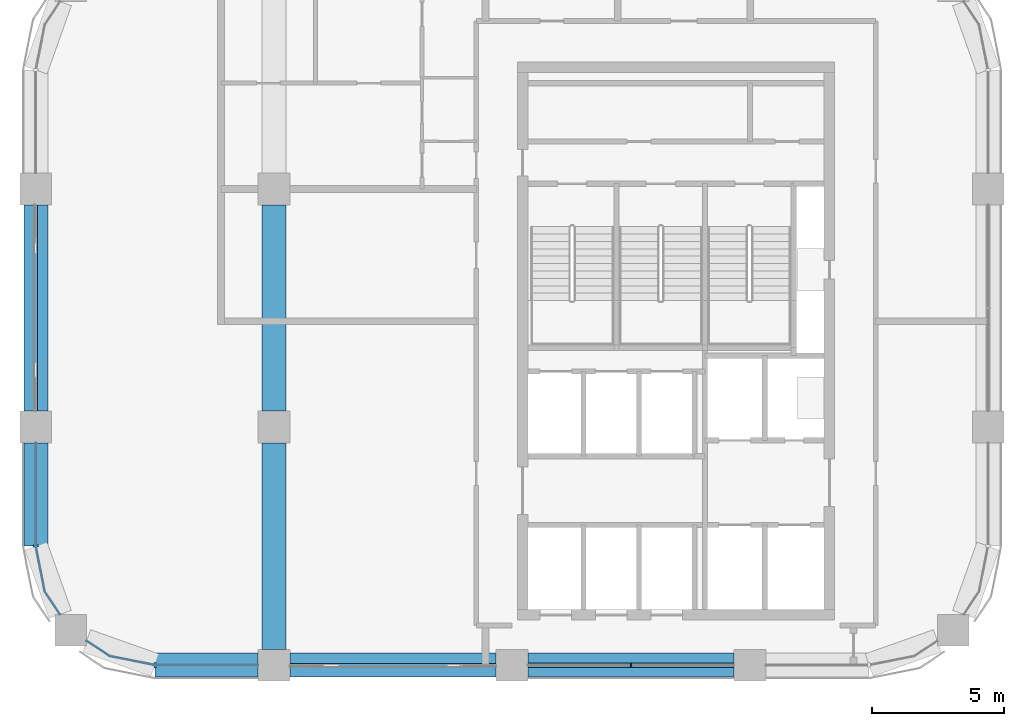
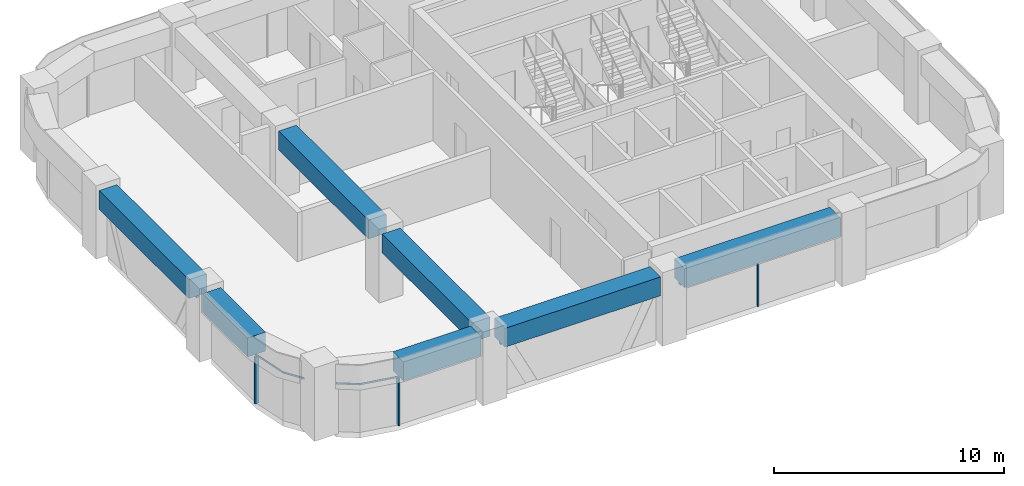
# One storey, part 2 of 10: 8 members, 7 beams, 5 elements without a shape of their own.
"""IFC4 building model written with IfcOpenShell, lengths in metres."""

from ifc_helpers import new_model, si_unit, direction, frame, origin, origin_2d, place, context, subcontext, project, spatial, polyline, rectangle, outline, extrude, material, material_profile, profile_set, type_object, element, aggregate, save


model = new_model("IFC4")

# Units and contexts
model_context = context("Model", 3, precision=1e-05, world=origin(), true_north=direction((0.0, 1.0)))
body_context = subcontext(model_context, "Body", "Model", "MODEL_VIEW")
ifc_project = project(units=[si_unit("LENGTHUNIT", "METRE"), si_unit("AREAUNIT", "SQUARE_METRE"), si_unit("VOLUMEUNIT", "CUBIC_METRE"), si_unit("PLANEANGLEUNIT", "RADIAN"), si_unit("MASSUNIT", "GRAM", prefix="KILO")], contexts=[model_context])

# Site, building, storey
site_placement = place(None, origin())
site = spatial("IfcSite", under=ifc_project, at=site_placement, CompositionType="ELEMENT")
building_placement = place(site_placement, origin())
building = spatial("IfcBuilding", under=site, at=building_placement, Name="Tessera Arch", CompositionType="ELEMENT")
storey_placement = place(building_placement, frame((0.0, 0.0, 261.800048828125)))
storey = spatial("IfcBuildingStorey", under=building, at=storey_placement, Name="L63", CompositionType="ELEMENT", Elevation=261.800048828125)

# Curtain wall, members
ifc_material_1 = material(Name="CW1 curtain wall")
curtain_wall_type_1 = type_object("IfcCurtainWallType", Name="CW1 curtain wall", PredefinedType="NOTDEFINED", material=ifc_material_1)
curtain_wall_1_placement = place(storey_placement, origin())
curtain_wall_1 = element("IfcCurtainWall", 1, at=curtain_wall_1_placement, inside=storey, type_object=curtain_wall_type_1, Name="CW1 curtain wall S27.18/2 L63", PredefinedType="NOTDEFINED")
ifc_material_2 = material(Name="Anodised aluminium pale metal", Category="aluminium")
ifc_material_profile_1 = material_profile(ifc_material_2, rectangle(XDim=0.159912109375, YDim=0.06005859375, at=origin_2d()), Name="AL 60x160")
ifc_profile_set_1 = profile_set([ifc_material_profile_1], Name="Anodised aluminium pale metal")
member_type_1 = type_object("IfcMemberType", Name="CW1 mullion", PredefinedType="MULLION", material=ifc_profile_set_1)
member_1_placement = place(storey_placement, frame((40.5, 27.0, 0.0), z_axis=(0.0, 0.0, 1.0), x_axis=(0.0, 1.0, 0.0)))
member_1 = element("IfcMember", 2, at=member_1_placement, type_object=member_type_1, Name="CW1 mullion S27.18/2 1", PredefinedType="MULLION", context=body_context, shape_type="SweptSolid", body=[
    extrude(rectangle(XDim=0.159912109375, YDim=0.06005859375, at=origin_2d()), origin(), (0.0, 0.0, 1.0), 2.5),
])
ifc_material_3 = material(Name="Anodised aluminium pale metal", Category="aluminium")
ifc_material_profile_2 = material_profile(ifc_material_3, rectangle(XDim=0.159912109375, YDim=0.10009765625, at=origin_2d()), Name="AL 160x100")
ifc_profile_set_2 = profile_set([ifc_material_profile_2], Name="Anodised aluminium pale metal")
member_type_2 = type_object("IfcMemberType", Name="CW1 transom", PredefinedType="USERDEFINED", material=ifc_profile_set_2)
member_2_placement = place(storey_placement, frame((36.60009765625, 27.0, 2.550048828125), z_axis=(1.0, 0.0, 0.0), x_axis=(0.0, 1.0, 0.0)))
member_2 = element("IfcMember", 3, at=member_2_placement, type_object=member_type_2, Name="CW1 transom S27.18/2 1.1", ObjectType="TRANSOM", PredefinedType="USERDEFINED", context=body_context, shape_type="SweptSolid", body=[
    extrude(rectangle(XDim=0.159912109375, YDim=0.10009765625, at=origin_2d()), origin(), (0.0, 0.0, 1.0), 7.7998046875),
])
aggregate(curtain_wall_1, [member_1, member_2])

# Curtain wall, member
ifc_material_4 = material(Name="CW2 curtain wall")
curtain_wall_type_2 = type_object("IfcCurtainWallType", Name="CW2 curtain wall", PredefinedType="NOTDEFINED", material=ifc_material_4)
curtain_wall_2_placement = place(storey_placement, origin())
curtain_wall_2 = element("IfcCurtainWall", 4, at=curtain_wall_2_placement, inside=storey, type_object=curtain_wall_type_2, Name="CW2 curtain wall W18.27/2 L63", PredefinedType="NOTDEFINED")
ifc_material_5 = material(Name="Anodised aluminium pale metal", Category="aluminium")
ifc_material_profile_3 = material_profile(ifc_material_5, rectangle(XDim=0.199951171875, YDim=0.080078125, at=origin_2d()), Name="AL 80x200")
ifc_profile_set_3 = profile_set([ifc_material_profile_3], Name="Anodised aluminium pale metal")
member_type_3 = type_object("IfcMemberType", Name="CW2 mullion", PredefinedType="MULLION", material=ifc_profile_set_3)
member_3_placement = place(storey_placement, frame((18.0, 31.5, 0.0), z_axis=(0.0, 0.0, 1.0), x_axis=(1.0, 0.0, 0.0)))
member_3 = element("IfcMember", 5, at=member_3_placement, type_object=member_type_3, Name="CW2 mullion W18.27/2 1", PredefinedType="MULLION", context=body_context, shape_type="SweptSolid", body=[
    extrude(rectangle(XDim=0.199951171875, YDim=0.080078125, at=origin_2d()), origin(), (0.0, 0.0, 1.0), 2.5),
])

curtain_wall_3_placement = place(storey_placement, origin())
curtain_wall_3 = element("IfcCurtainWall", 6, at=curtain_wall_3_placement, inside=storey, type_object=curtain_wall_type_2, Name="CW2 curtain wall S27.18/0 L63", PredefinedType="NOTDEFINED")
member_4_placement = place(storey_placement, frame((22.5, 27.0, 0.0), z_axis=(0.0, 0.0, 1.0), x_axis=(0.0, 1.0, 0.0)))
member_4 = element("IfcMember", 7, at=member_4_placement, type_object=member_type_3, Name="CW2 mullion S27.18/0 1", PredefinedType="MULLION", context=body_context, shape_type="SweptSolid", body=[
    extrude(rectangle(XDim=0.199951171875, YDim=0.080078125, at=origin_2d()), origin(), (0.0, 0.0, 1.0), 2.5),
])

# Member
ifc_material_6 = material(Name="Anodised aluminium pale metal", Category="aluminium")
ifc_material_profile_4 = material_profile(ifc_material_6, rectangle(XDim=0.199951171875, YDim=0.10009765625, at=origin_2d()), Name="AL 200x100")
ifc_profile_set_4 = profile_set([ifc_material_profile_4], Name="Anodised aluminium pale metal")
member_type_4 = type_object("IfcMemberType", Name="CW2 transom", PredefinedType="USERDEFINED", material=ifc_profile_set_4)
member_5_placement = place(storey_placement, frame((0.0, 0.0, 2.5)))
member_5 = element("IfcMember", 8, at=member_5_placement, type_object=member_type_4, Name="CW2 transom W18.27/2 1", ObjectType="TRANSOM", PredefinedType="USERDEFINED", context=body_context, shape_type="SweptSolid", body=[
    extrude(outline(polyline([(18.010009765625, 31.5009765625), (18.010009765625, 35.39990234375), (17.989990234375, 35.39990234375), (17.989990234375, 31.4990234375), (18.3330078125, 29.77392578125), (18.90869140625, 28.912353515625), (18.92529296875, 28.923583984375), (18.351806640625, 29.78173828125), (18.010009765625, 31.5009765625)])), origin(), (0.0, 0.0, 1.0), 0.099853515625),
])

aggregate(curtain_wall_2, [member_3, member_5])

member_6_placement = place(storey_placement, frame((0.0, 0.0, 2.5)))
member_6 = element("IfcMember", 9, at=member_6_placement, type_object=member_type_4, Name="CW2 transom S27.18/0 1", ObjectType="TRANSOM", PredefinedType="USERDEFINED", context=body_context, shape_type="SweptSolid", body=[
    extrude(outline(polyline([(20.78173828125, 27.351806640625), (19.923583984375, 27.92529296875), (19.912353515625, 27.90869140625), (20.77392578125, 27.3330078125), (22.4990234375, 26.989990234375), (26.39990234375, 26.989990234375), (26.39990234375, 27.010009765625), (22.5009765625, 27.010009765625), (20.78173828125, 27.351806640625)])), origin(), (0.0, 0.0, 1.0), 0.099853515625),
])

aggregate(curtain_wall_3, [member_4, member_6])

# Curtain wall, member
ifc_material_7 = material(Name="CW3 curtain wall")
curtain_wall_type_3 = type_object("IfcCurtainWallType", Name="CW3 curtain wall", PredefinedType="NOTDEFINED", material=ifc_material_7)
curtain_wall_4_placement = place(storey_placement, origin())
curtain_wall_4 = element("IfcCurtainWall", 10, at=curtain_wall_4_placement, inside=storey, type_object=curtain_wall_type_3, Name="CW3 curtain wall W18.27/1 L63", PredefinedType="NOTDEFINED")
ifc_material_8 = material(Name="Anodised aluminium pale metal", Category="aluminium")
ifc_material_profile_5 = material_profile(ifc_material_8, rectangle(XDim=0.139892578125, YDim=0.10009765625, at=origin_2d()), Name="AL 140x100")
ifc_profile_set_5 = profile_set([ifc_material_profile_5], Name="Anodised aluminium pale metal")
member_type_5 = type_object("IfcMemberType", Name="CW3 transom", PredefinedType="USERDEFINED", material=ifc_profile_set_5)
member_7_placement = place(storey_placement, frame((18.0, 44.39990234375, 2.550048828125), z_axis=(0.0, -1.0, 0.0), x_axis=(1.0, 0.0, 0.0)))
member_7 = element("IfcMember", 11, at=member_7_placement, type_object=member_type_5, Name="CW3 transom W18.27/1 1.1", ObjectType="TRANSOM", PredefinedType="USERDEFINED", context=body_context, shape_type="SweptSolid", body=[
    extrude(rectangle(XDim=0.139892578125, YDim=0.10009765625, at=origin_2d()), origin(), (0.0, 0.0, 1.0), 7.7998046875),
])
aggregate(curtain_wall_4, [member_7])

curtain_wall_5_placement = place(storey_placement, origin())
curtain_wall_5 = element("IfcCurtainWall", 12, at=curtain_wall_5_placement, inside=storey, type_object=curtain_wall_type_3, Name="CW3 curtain wall S27.18/1 L63", PredefinedType="NOTDEFINED")
member_8_placement = place(storey_placement, frame((27.60009765625, 27.0, 2.550048828125), z_axis=(1.0, 0.0, 0.0), x_axis=(0.0, 1.0, 0.0)))
member_8 = element("IfcMember", 13, at=member_8_placement, type_object=member_type_5, Name="CW3 transom S27.18/1 1.1", ObjectType="TRANSOM", PredefinedType="USERDEFINED", context=body_context, shape_type="SweptSolid", body=[
    extrude(rectangle(XDim=0.139892578125, YDim=0.10009765625, at=origin_2d()), origin(), (0.0, 0.0, 1.0), 7.7998046875),
])
aggregate(curtain_wall_5, [member_8])

# Beams
ifc_material_9 = material(Name="Concrete C60/75", Category="concrete")
ifc_material_profile_6 = material_profile(ifc_material_9, rectangle(XDim=0.89990234375, YDim=1.0, at=origin_2d()), Name="RC spandrel beam 900 x 1000 Concrete C60/75")
ifc_profile_set_6 = profile_set([ifc_material_profile_6], Name="Concrete C60/75")
beam_type = type_object("IfcBeamType", Name="RC spandrel beam 900 x 1000 Concrete C60/75", PredefinedType="BEAM", material=ifc_profile_set_6)
beam_placement = place(storey_placement, frame((18.0, 44.39990234375, 3.099853515625), z_axis=(0.0, -1.0, 0.0), x_axis=(1.0, 0.0, 0.0)))
element("IfcBeam", 14, at=beam_placement, inside=storey, type_object=beam_type, Name="Spandrel beam L63 W18.27/1", PredefinedType="BEAM", context=body_context, shape_type="SweptSolid", body=[
    extrude(rectangle(XDim=0.89990234375, YDim=1.0, at=origin_2d()), origin(), (0.0, 0.0, 1.0), 7.7998046875),
])
for number, where, z_axis, x_axis, name in (
    (15, (18.0, 35.39990234375, 3.099853515625), (0.0, -1.0, 0.0), (1.0, 0.0, 0.0), "Spandrel beam L63 W18.27/2.1"),
    (16, (22.5, 27.0, 3.099853515625), (1.0, 0.0, 0.0), (0.0, 1.0, 0.0), "Spandrel beam L63 S27.18/0.2"),
):
    element("IfcBeam", number, at=place(storey_placement, frame(where, z_axis=z_axis, x_axis=x_axis)), inside=storey, type_object=beam_type, Name=name, PredefinedType="BEAM", context=body_context, shape_type="SweptSolid", body=[
        extrude(rectangle(XDim=0.89990234375, YDim=1.0, at=origin_2d()), origin(), (0.0, 0.0, 1.0), 3.89990234375),
    ])
for number, where, z_axis, x_axis, name in (
    (17, (27.60009765625, 27.0, 3.099853515625), (1.0, 0.0, 0.0), (0.0, 1.0, 0.0), "Spandrel beam L63 S27.18/1"),
    (18, (36.60009765625, 27.0, 3.099853515625), (1.0, 0.0, 0.0), (0.0, 1.0, 0.0), "Spandrel beam L63 S27.18/2"),
    (19, (27.0, 27.60009765625, 3.099853515625), (0.0, 1.0, 0.0), (-1.0, 0.0, 0.0), "Interface beam L63 I0C4D-C4E"),
    (20, (27.0, 36.60009765625, 3.099853515625), (0.0, 1.0, 0.0), (-1.0, 0.0, 0.0), "Interface beam L63 I0C4E-C4F"),
):
    element("IfcBeam", number, at=place(storey_placement, frame(where, z_axis=z_axis, x_axis=x_axis)), inside=storey, type_object=beam_type, Name=name, PredefinedType="BEAM", context=body_context, shape_type="SweptSolid", body=[
        extrude(rectangle(XDim=0.89990234375, YDim=1.0, at=origin_2d()), origin(), (0.0, 0.0, 1.0), 7.7998046875),
    ])

save(model, "model.ifc")
